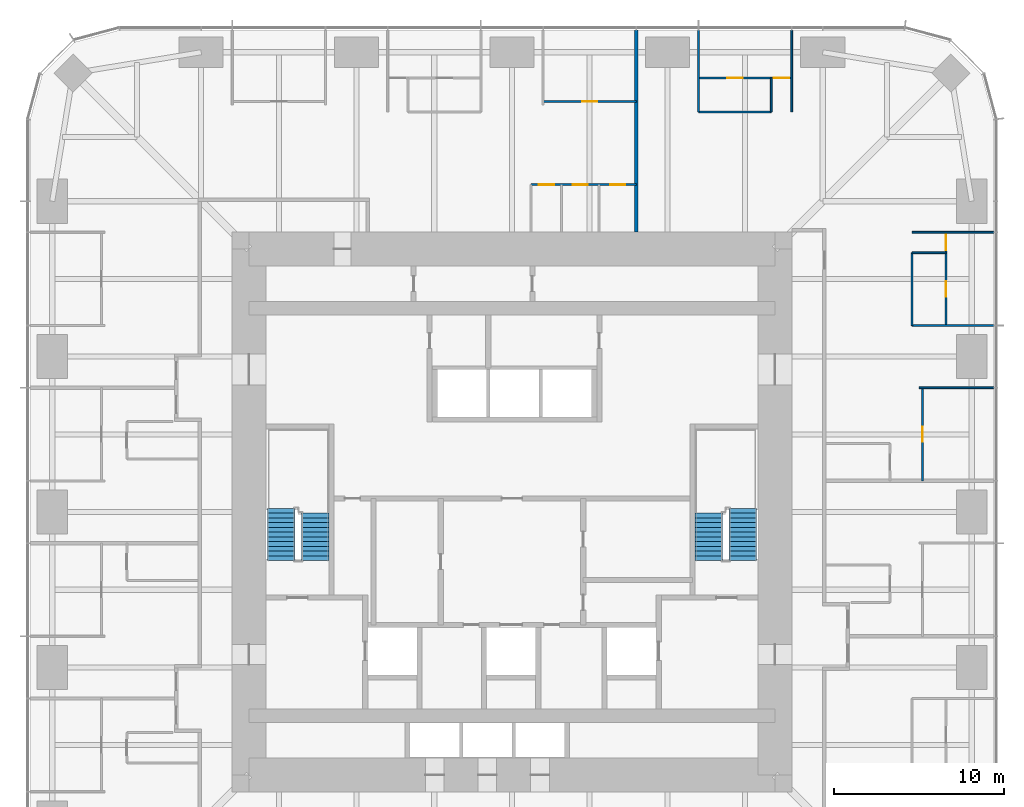
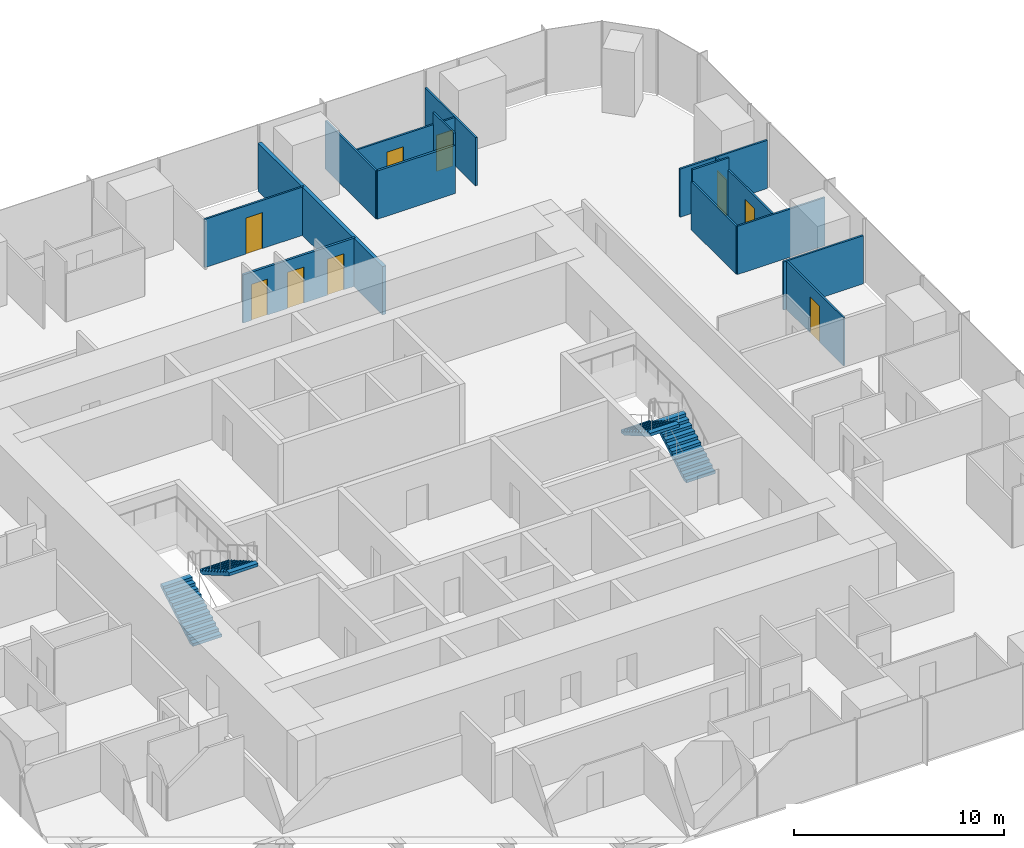
# One storey, part 12 of 13: 15 walls, 9 doors, 4 stair flights, 9 openings, 2 elements without a shape of their own.
"""IFC4 building model written with IfcOpenShell, lengths in metres."""

from ifc_helpers import new_model, si_unit, direction, frame, frame_2d, origin, place, context, subcontext, project, spatial, polyline, rectangle, outline, extrude, material, layer, layer_set, type_object, element, fill, aggregate, save


model = new_model("IFC4")

# Units and contexts
model_context = context("Model", 3, precision=1e-05, world=origin(), true_north=direction((0.0, 1.0)))
body_context = subcontext(model_context, "Body", "Model", "MODEL_VIEW")
ifc_project = project(units=[si_unit("LENGTHUNIT", "METRE"), si_unit("AREAUNIT", "SQUARE_METRE"), si_unit("VOLUMEUNIT", "CUBIC_METRE"), si_unit("PLANEANGLEUNIT", "RADIAN"), si_unit("MASSUNIT", "GRAM", prefix="KILO")], contexts=[model_context])

# Site, building, storey
site_placement = place(None, origin())
site = spatial("IfcSite", under=ifc_project, at=site_placement, CompositionType="ELEMENT")
building_placement = place(site_placement, origin())
building = spatial("IfcBuilding", under=site, at=building_placement, Name="Khuree Lantern Residences", CompositionType="ELEMENT")
storey_placement = place(building_placement, frame((0.0, 0.0, 159.75)))
storey = spatial("IfcBuildingStorey", under=building, at=storey_placement, Name="L40", CompositionType="ELEMENT", Elevation=159.75)

# Wall
ifc_material_1 = material(Name="Moisture-resistant gypsum board on steel studs", Category="steel")
ifc_layer_1 = layer(ifc_material_1, 0.125)
ifc_layer_set_1 = layer_set([ifc_layer_1], Name="BATHROOM WALL BTW125")
wall_type_1 = type_object("IfcWallType", Name="BATHROOM WALL BTW125", PredefinedType="PARTITIONING", material=ifc_layer_set_1)
wall_1_placement = place(storey_placement, frame((15.2880859375, 23.579833984375, 0.0), z_axis=(0.0, 0.0, 1.0), x_axis=(-1.0, 0.0, 0.0)))
element("IfcWall", 1, at=wall_1_placement, inside=storey, type_object=wall_type_1, Name="L40 BATHROOM WALL 02", PredefinedType="PARTITIONING", context=body_context, shape_type="SweptSolid", body=[
    extrude(rectangle(XDim=4.296142578125, YDim=0.125, at=frame_2d((2.14794921875, 0.0))), origin(), (0.0, 0.0, 1.0), 2.81005859375),
])

# Wall, openings, doors
wall_2_placement = place(storey_placement, frame((7.327880859375, 19.300048828125, 0.0), z_axis=(0.0, 0.0, 1.0), x_axis=(-1.0, 0.0, 0.0)))
wall_2 = element("IfcWall", 2, at=wall_2_placement, inside=storey, type_object=wall_type_1, Name="L40 BATHROOM WALL 03", PredefinedType="PARTITIONING", context=body_context, shape_type="SweptSolid", body=[
    extrude(rectangle(XDim=6.199951171875, YDim=0.125, at=frame_2d((3.10009765625, 0.0))), origin(), (0.0, 0.0, 1.0), 2.81005859375),
])
opening_1_placement = place(wall_2_placement, frame((0.64990234375, 0.0, 0.0)))
opening_1 = element("IfcOpeningElement", 3, at=opening_1_placement, cuts=wall_2, Name="Opening 40-040", PredefinedType="OPENING", context=body_context, shape_type="SweptSolid", body=[
    extrude(rectangle(XDim=0.89990234375, YDim=2.10009765625, at=frame_2d((0.449951171875, 1.050048828125))), frame((0.0, 0.072509765625, 0.0), z_axis=(0.0, -1.0, 0.0), x_axis=(1.0, 0.0, 0.0)), (0.0, 0.0, 1.0), 0.14501953125),
])
opening_2_placement = place(wall_2_placement, frame((2.85009765625, 0.0, 0.0)))
opening_2 = element("IfcOpeningElement", 4, at=opening_2_placement, cuts=wall_2, Name="Opening 40-041", PredefinedType="OPENING", context=body_context, shape_type="SweptSolid", body=[
    extrude(rectangle(XDim=0.89990234375, YDim=2.10009765625, at=frame_2d((0.449951171875, 1.050048828125))), frame((0.0, 0.072509765625, 0.0), z_axis=(0.0, -1.0, 0.0), x_axis=(1.0, 0.0, 0.0)), (0.0, 0.0, 1.0), 0.14501953125),
])
opening_3_placement = place(wall_2_placement, frame((4.85009765625, 0.0, 0.0)))
opening_3 = element("IfcOpeningElement", 5, at=opening_3_placement, cuts=wall_2, Name="Opening 40-042", PredefinedType="OPENING", context=body_context, shape_type="SweptSolid", body=[
    extrude(rectangle(XDim=0.89990234375, YDim=2.10009765625, at=frame_2d((0.449951171875, 1.050048828125))), frame((0.0, 0.072509765625, 0.0), z_axis=(0.0, -1.0, 0.0), x_axis=(1.0, 0.0, 0.0)), (0.0, 0.0, 1.0), 0.14501953125),
])
ifc_material_2 = material(Name="Timber door leaf in hardwood frame", Category="wood")
door_type_1 = type_object("IfcDoorType", Name="BATHROOM DOOR 900X2100", OperationType="SINGLE_SWING_LEFT", PredefinedType="DOOR", material=ifc_material_2)
door_1_placement = place(opening_1_placement, origin())
door_1 = element("IfcDoor", 6, at=door_1_placement, inside=storey, type_object=door_type_1, Name="Bathroom door 40-040", OperationType="SINGLE_SWING_LEFT", OverallHeight=2.10009765625, OverallWidth=0.89990234375, PredefinedType="DOOR", context=body_context, shape_type="SweptSolid", body=[
    extrude(rectangle(XDim=0.89990234375, YDim=2.10009765625, at=frame_2d((0.449951171875, 1.050048828125))), frame((0.0, 0.02490234375, 0.0), z_axis=(0.0, -1.0, 0.0), x_axis=(1.0, 0.0, 0.0)), (0.0, 0.0, 1.0), 0.050048828125),
])
fill(opening_1, door_1)
door_2_placement = place(opening_2_placement, origin())
door_2 = element("IfcDoor", 7, at=door_2_placement, inside=storey, type_object=door_type_1, Name="Bathroom door 40-041", OperationType="SINGLE_SWING_LEFT", OverallHeight=2.10009765625, OverallWidth=0.89990234375, PredefinedType="DOOR", context=body_context, shape_type="SweptSolid", body=[
    extrude(rectangle(XDim=0.89990234375, YDim=2.10009765625, at=frame_2d((0.449951171875, 1.050048828125))), frame((0.0, 0.02490234375, 0.0), z_axis=(0.0, -1.0, 0.0), x_axis=(1.0, 0.0, 0.0)), (0.0, 0.0, 1.0), 0.050048828125),
])
fill(opening_2, door_2)
door_type_2 = type_object("IfcDoorType", Name="DOOR 900X2100", OperationType="SINGLE_SWING_LEFT", PredefinedType="DOOR", material=ifc_material_2)
door_3_placement = place(opening_3_placement, origin())
door_3 = element("IfcDoor", 8, at=door_3_placement, inside=storey, type_object=door_type_2, Name="Store door 40-042", OperationType="SINGLE_SWING_LEFT", OverallHeight=2.10009765625, OverallWidth=0.89990234375, PredefinedType="DOOR", context=body_context, shape_type="SweptSolid", body=[
    extrude(rectangle(XDim=0.89990234375, YDim=2.10009765625, at=frame_2d((0.449951171875, 1.050048828125))), frame((0.0, 0.02490234375, 0.0), z_axis=(0.0, -1.0, 0.0), x_axis=(1.0, 0.0, 0.0)), (0.0, 0.0, 1.0), 0.050048828125),
])
fill(opening_3, door_3)

# Walls
ifc_material_3 = material(Name="Gypsum board on steel studs", Category="steel")
ifc_layer_2 = layer(ifc_material_3, 0.199951171875)
ifc_layer_set_2 = layer_set([ifc_layer_2], Name="DEMISING WALL DMW200 EI 90")
wall_type_2 = type_object("IfcWallType", Name="DEMISING WALL DMW200 EI 90", PredefinedType="PARTITIONING", material=ifc_layer_set_2)
wall_3_placement = place(storey_placement, frame((7.327880859375, 16.5, 0.0), z_axis=(0.0, 0.0, 1.0), x_axis=(0.0, 1.0, 0.0)))
element("IfcWall", 9, at=wall_3_placement, inside=storey, type_object=wall_type_2, Name="L40 DEMISING WALL 03", PredefinedType="PARTITIONING", context=body_context, shape_type="SweptSolid", body=[
    extrude(rectangle(XDim=11.89990234375, YDim=0.199951171875, at=frame_2d((5.949951171875, 0.0))), origin(), (0.0, 0.0, 1.0), 2.81005859375),
])
ifc_layer_3 = layer(ifc_material_3, 0.10009765625)
ifc_layer_set_3 = layer_set([ifc_layer_3], Name="PARTITION PT100")
wall_type_3 = type_object("IfcWallType", Name="PARTITION PT100", PredefinedType="PARTITIONING", material=ifc_layer_set_3)
wall_4_placement = place(storey_placement, frame((24.0, 7.327880859375, 0.0), z_axis=(0.0, 0.0, 1.0), x_axis=(1.0, 0.0, 0.0)))
element("IfcWall", 10, at=wall_4_placement, inside=storey, type_object=wall_type_3, Name="L40 PARTITION 02", PredefinedType="PARTITIONING", context=body_context, shape_type="SweptSolid", body=[
    extrude(rectangle(XDim=4.39990234375, YDim=0.10009765625, at=frame_2d((2.199951171875, 0.0))), origin(), (0.0, 0.0, 1.0), 2.81005859375),
])
for number, where, z_axis, x_axis, name in (
    (11, (23.579833984375, 10.991943359375, 0.0), (0.0, 0.0, 1.0), (1.0, 0.0, 0.0), "L40 PARTITION 02"),
    (12, (23.579833984375, 16.488037109375, 0.0), (0.0, 0.0, 1.0), (1.0, 0.0, 0.0), "L40 PARTITION 02"),
    (13, (16.488037109375, 23.579833984375, 0.0), (0.0, 0.0, 1.0), (0.0, 1.0, 0.0), "L40 PARTITION 02"),
    (14, (10.991943359375, 23.579833984375, 0.0), (0.0, 0.0, 1.0), (0.0, 1.0, 0.0), "L40 PARTITION 02"),
):
    element("IfcWall", number, at=place(storey_placement, frame(where, z_axis=z_axis, x_axis=x_axis)), inside=storey, type_object=wall_type_3, Name=name, PredefinedType="PARTITIONING", context=body_context, shape_type="SweptSolid", body=[
        extrude(rectangle(XDim=4.820068359375, YDim=0.10009765625, at=frame_2d((2.41015625, 0.0))), origin(), (0.0, 0.0, 1.0), 2.81005859375),
    ])

# Wall, opening, door
wall_5_placement = place(storey_placement, frame((24.199951171875, 1.83203125, 0.0), z_axis=(0.0, 0.0, 1.0), x_axis=(0.0, 1.0, 0.0)))
wall_5 = element("IfcWall", 15, at=wall_5_placement, inside=storey, type_object=wall_type_3, Name="L40 PARTITION 02", PredefinedType="PARTITIONING", context=body_context, shape_type="SweptSolid", body=[
    extrude(rectangle(XDim=5.495849609375, YDim=0.10009765625, at=frame_2d((2.748046875, 0.0))), origin(), (0.0, 0.0, 1.0), 2.81005859375),
])
opening_4_placement = place(wall_5_placement, frame((2.298095703125, 0.0, 0.0)))
opening_4 = element("IfcOpeningElement", 16, at=opening_4_placement, cuts=wall_5, Name="Opening 40-028", PredefinedType="OPENING", context=body_context, shape_type="SweptSolid", body=[
    extrude(rectangle(XDim=0.89990234375, YDim=2.10009765625, at=frame_2d((0.449951171875, 1.050048828125))), frame((0.0, 0.06005859375, 0.0), z_axis=(0.0, -1.0, 0.0), x_axis=(1.0, 0.0, 0.0)), (0.0, 0.0, 1.0), 0.1201171875),
])
door_type_3 = type_object("IfcDoorType", Name="BEDROOM DOOR 900X2100", OperationType="SINGLE_SWING_LEFT", PredefinedType="DOOR", material=ifc_material_2)
door_4_placement = place(opening_4_placement, origin())
door_4 = element("IfcDoor", 17, at=door_4_placement, inside=storey, type_object=door_type_3, Name="Bedroom door 40-028", OperationType="SINGLE_SWING_LEFT", OverallHeight=2.10009765625, OverallWidth=0.89990234375, PredefinedType="DOOR", context=body_context, shape_type="SweptSolid", body=[
    extrude(rectangle(XDim=0.89990234375, YDim=2.10009765625, at=frame_2d((0.449951171875, 1.050048828125))), frame((0.0, 0.02490234375, 0.0), z_axis=(0.0, -1.0, 0.0), x_axis=(1.0, 0.0, 0.0)), (0.0, 0.0, 1.0), 0.050048828125),
])
fill(opening_4, door_4)

# Wall, openings, doors
wall_6_placement = place(storey_placement, frame((25.579833984375, 10.991943359375, 0.0), z_axis=(0.0, 0.0, 1.0), x_axis=(0.0, 1.0, 0.0)))
wall_6 = element("IfcWall", 18, at=wall_6_placement, inside=storey, type_object=wall_type_3, Name="L40 PARTITION 02", PredefinedType="PARTITIONING", context=body_context, shape_type="SweptSolid", body=[
    extrude(rectangle(XDim=5.49609375, YDim=0.10009765625, at=frame_2d((2.748046875, 0.0))), origin(), (0.0, 0.0, 1.0), 2.81005859375),
])
opening_5_placement = place(wall_6_placement, frame((4.446044921875, 0.0, 0.0)))
opening_5 = element("IfcOpeningElement", 19, at=opening_5_placement, cuts=wall_6, Name="Opening 40-029", PredefinedType="OPENING", context=body_context, shape_type="SweptSolid", body=[
    extrude(rectangle(XDim=0.89990234375, YDim=2.10009765625, at=frame_2d((0.449951171875, 1.050048828125))), frame((0.0, 0.06005859375, 0.0), z_axis=(0.0, -1.0, 0.0), x_axis=(1.0, 0.0, 0.0)), (0.0, 0.0, 1.0), 0.1201171875),
])
opening_6_placement = place(wall_6_placement, frame((1.697998046875, 0.0, 0.0)))
opening_6 = element("IfcOpeningElement", 20, at=opening_6_placement, cuts=wall_6, Name="Opening 40-030", PredefinedType="OPENING", context=body_context, shape_type="SweptSolid", body=[
    extrude(rectangle(XDim=0.89990234375, YDim=2.10009765625, at=frame_2d((0.449951171875, 1.050048828125))), frame((0.0, 0.06005859375, 0.0), z_axis=(0.0, -1.0, 0.0), x_axis=(1.0, 0.0, 0.0)), (0.0, 0.0, 1.0), 0.1201171875),
])
door_5_placement = place(opening_5_placement, origin())
door_5 = element("IfcDoor", 21, at=door_5_placement, inside=storey, type_object=door_type_3, Name="Bedroom door 40-029", OperationType="SINGLE_SWING_LEFT", OverallHeight=2.10009765625, OverallWidth=0.89990234375, PredefinedType="DOOR", context=body_context, shape_type="SweptSolid", body=[
    extrude(rectangle(XDim=0.89990234375, YDim=2.10009765625, at=frame_2d((0.449951171875, 1.050048828125))), frame((0.0, 0.02490234375, 0.0), z_axis=(0.0, -1.0, 0.0), x_axis=(1.0, 0.0, 0.0)), (0.0, 0.0, 1.0), 0.050048828125),
])
fill(opening_5, door_5)
door_6_placement = place(opening_6_placement, origin())
door_6 = element("IfcDoor", 22, at=door_6_placement, inside=storey, type_object=door_type_2, Name="Wardrobe door 40-030", OperationType="SINGLE_SWING_LEFT", OverallHeight=2.10009765625, OverallWidth=0.89990234375, PredefinedType="DOOR", context=body_context, shape_type="SweptSolid", body=[
    extrude(rectangle(XDim=0.89990234375, YDim=2.10009765625, at=frame_2d((0.449951171875, 1.050048828125))), frame((0.0, 0.02490234375, 0.0), z_axis=(0.0, -1.0, 0.0), x_axis=(1.0, 0.0, 0.0)), (0.0, 0.0, 1.0), 0.050048828125),
])
fill(opening_6, door_6)

# Walls
wall_7_placement = place(storey_placement, frame((23.579833984375, 15.2880859375, 0.0), z_axis=(0.0, 0.0, 1.0), x_axis=(1.0, 0.0, 0.0)))
element("IfcWall", 23, at=wall_7_placement, inside=storey, type_object=wall_type_3, Name="L40 PARTITION 02", PredefinedType="PARTITIONING", context=body_context, shape_type="SweptSolid", body=[
    extrude(rectangle(XDim=2.0, YDim=0.10009765625, at=frame_2d((1.0, 0.0))), origin(), (0.0, 0.0, 1.0), 3.5),
])
wall_8_placement = place(storey_placement, frame((23.579833984375, 10.991943359375, 0.0), z_axis=(0.0, 0.0, 1.0), x_axis=(0.0, 1.0, 0.0)))
element("IfcWall", 24, at=wall_8_placement, inside=storey, type_object=wall_type_3, Name="L40 PARTITION 02", PredefinedType="PARTITIONING", context=body_context, shape_type="SweptSolid", body=[
    extrude(rectangle(XDim=4.296142578125, YDim=0.10009765625, at=frame_2d((2.14794921875, 0.0))), origin(), (0.0, 0.0, 1.0), 2.81005859375),
])

# Wall, openings, doors
wall_9_placement = place(storey_placement, frame((16.488037109375, 25.579833984375, 0.0), z_axis=(0.0, 0.0, 1.0), x_axis=(-1.0, 0.0, 0.0)))
wall_9 = element("IfcWall", 25, at=wall_9_placement, inside=storey, type_object=wall_type_3, Name="L40 PARTITION 02", PredefinedType="PARTITIONING", context=body_context, shape_type="SweptSolid", body=[
    extrude(rectangle(XDim=5.49609375, YDim=0.10009765625, at=frame_2d((2.748046875, 0.0))), origin(), (0.0, 0.0, 1.0), 2.81005859375),
])
opening_7_placement = place(wall_9_placement, frame((0.14990234375, 0.0, 0.0)))
opening_7 = element("IfcOpeningElement", 26, at=opening_7_placement, cuts=wall_9, Name="Opening 40-031", PredefinedType="OPENING", context=body_context, shape_type="SweptSolid", body=[
    extrude(rectangle(XDim=0.89990234375, YDim=2.10009765625, at=frame_2d((0.449951171875, 1.050048828125))), frame((0.0, 0.06005859375, 0.0), z_axis=(0.0, -1.0, 0.0), x_axis=(1.0, 0.0, 0.0)), (0.0, 0.0, 1.0), 0.1201171875),
])
opening_8_placement = place(wall_9_placement, frame((2.89794921875, 0.0, 0.0)))
opening_8 = element("IfcOpeningElement", 27, at=opening_8_placement, cuts=wall_9, Name="Opening 40-032", PredefinedType="OPENING", context=body_context, shape_type="SweptSolid", body=[
    extrude(rectangle(XDim=0.89990234375, YDim=2.10009765625, at=frame_2d((0.449951171875, 1.050048828125))), frame((0.0, 0.06005859375, 0.0), z_axis=(0.0, -1.0, 0.0), x_axis=(1.0, 0.0, 0.0)), (0.0, 0.0, 1.0), 0.1201171875),
])
door_7_placement = place(opening_8_placement, origin())
door_7 = element("IfcDoor", 28, at=door_7_placement, inside=storey, type_object=door_type_1, Name="Bathroom door 40-032", OperationType="SINGLE_SWING_LEFT", OverallHeight=2.10009765625, OverallWidth=0.89990234375, PredefinedType="DOOR", context=body_context, shape_type="SweptSolid", body=[
    extrude(rectangle(XDim=0.89990234375, YDim=2.10009765625, at=frame_2d((0.449951171875, 1.050048828125))), frame((0.0, 0.02490234375, 0.0), z_axis=(0.0, -1.0, 0.0), x_axis=(1.0, 0.0, 0.0)), (0.0, 0.0, 1.0), 0.050048828125),
])
fill(opening_8, door_7)
door_8_placement = place(opening_7_placement, origin())
door_8 = element("IfcDoor", 29, at=door_8_placement, inside=storey, type_object=door_type_3, Name="Bedroom door 40-031", OperationType="SINGLE_SWING_LEFT", OverallHeight=2.10009765625, OverallWidth=0.89990234375, PredefinedType="DOOR", context=body_context, shape_type="SweptSolid", body=[
    extrude(rectangle(XDim=0.89990234375, YDim=2.10009765625, at=frame_2d((0.449951171875, 1.050048828125))), frame((0.0, 0.02490234375, 0.0), z_axis=(0.0, -1.0, 0.0), x_axis=(1.0, 0.0, 0.0)), (0.0, 0.0, 1.0), 0.050048828125),
])
fill(opening_7, door_8)

# Wall
wall_10_placement = place(storey_placement, frame((15.2880859375, 23.579833984375, 0.0), z_axis=(0.0, 0.0, 1.0), x_axis=(0.0, 1.0, 0.0)))
element("IfcWall", 30, at=wall_10_placement, inside=storey, type_object=wall_type_3, Name="L40 PARTITION 02", PredefinedType="PARTITIONING", context=body_context, shape_type="SweptSolid", body=[
    extrude(rectangle(XDim=2.0, YDim=0.10009765625, at=frame_2d((1.0, 0.0))), origin(), (0.0, 0.0, 1.0), 3.5),
])

# Wall, opening, door
wall_11_placement = place(storey_placement, frame((7.327880859375, 24.199951171875, 0.0), z_axis=(0.0, 0.0, 1.0), x_axis=(-1.0, 0.0, 0.0)))
wall_11 = element("IfcWall", 31, at=wall_11_placement, inside=storey, type_object=wall_type_3, Name="L40 PARTITION 03", PredefinedType="PARTITIONING", context=body_context, shape_type="SweptSolid", body=[
    extrude(rectangle(XDim=5.495849609375, YDim=0.10009765625, at=frame_2d((2.748046875, 0.0))), origin(), (0.0, 0.0, 1.0), 2.81005859375),
])
opening_9_placement = place(wall_11_placement, frame((2.298095703125, 0.0, 0.0)))
opening_9 = element("IfcOpeningElement", 32, at=opening_9_placement, cuts=wall_11, Name="Opening 40-035", PredefinedType="OPENING", context=body_context, shape_type="SweptSolid", body=[
    extrude(rectangle(XDim=0.89990234375, YDim=2.10009765625, at=frame_2d((0.449951171875, 1.050048828125))), frame((0.0, 0.06005859375, 0.0), z_axis=(0.0, -1.0, 0.0), x_axis=(1.0, 0.0, 0.0)), (0.0, 0.0, 1.0), 0.1201171875),
])
door_9_placement = place(opening_9_placement, origin())
door_9 = element("IfcDoor", 33, at=door_9_placement, inside=storey, type_object=door_type_3, Name="Bedroom door 40-035", OperationType="SINGLE_SWING_LEFT", OverallHeight=2.10009765625, OverallWidth=0.89990234375, PredefinedType="DOOR", context=body_context, shape_type="SweptSolid", body=[
    extrude(rectangle(XDim=0.89990234375, YDim=2.10009765625, at=frame_2d((0.449951171875, 1.050048828125))), frame((0.0, 0.02490234375, 0.0), z_axis=(0.0, -1.0, 0.0), x_axis=(1.0, 0.0, 0.0)), (0.0, 0.0, 1.0), 0.050048828125),
])
fill(opening_9, door_9)

# Stair, stair flights
ifc_material_4 = material(Name="Concrete C40/50", Category="concrete")
stair_type = type_object("IfcStairType", Name="STAIR ST1 HALF TURN 3600", PredefinedType="HALF_TURN_STAIR", material=ifc_material_4)
stair_1_placement = place(storey_placement, origin())
stair_1 = element("IfcStair", 34, at=stair_1_placement, inside=storey, type_object=stair_type, Name="Stair ST1", PredefinedType="HALF_TURN_STAIR")
stair_flight_type = type_object("IfcStairFlightType", Name="STAIR FLIGHT SF1 1600", PredefinedType="STRAIGHT", material=ifc_material_4)
stair_flight_1_placement = place(storey_placement, frame((-13.60009765625, -2.860107421875, 0.0), z_axis=(0.0, 0.0, 1.0), x_axis=(0.0, 1.0, 0.0)))
stair_flight_1 = element("IfcStairFlight", 35, at=stair_flight_1_placement, type_object=stair_flight_type, Name="ST1 flight 1", NumberOfRisers=12, NumberOfTreads=11, PredefinedType="STRAIGHT", RiserHeight=0.163043478, TreadLength=0.28, context=body_context, shape_type="SweptSolid", body=[
    extrude(outline(polyline([(0.0, 0.0), (0.0, 0.1630859375), (0.280029296875, 0.1630859375), (0.280029296875, 0.326171875), (0.56005859375, 0.326171875), (0.56005859375, 0.489013671875), (0.840087890625, 0.489013671875), (0.840087890625, 0.652099609375), (1.1201171875, 0.652099609375), (1.1201171875, 0.815185546875), (1.39990234375, 0.815185546875), (1.39990234375, 0.978271484375), (1.679931640625, 0.978271484375), (1.679931640625, 1.141357421875), (1.9599609375, 1.141357421875), (1.9599609375, 1.304443359375), (2.239990234375, 1.304443359375), (2.239990234375, 1.46728515625), (2.52001953125, 1.46728515625), (2.52001953125, 1.63037109375), (2.800048828125, 1.63037109375), (2.800048828125, 1.79345703125), (3.080078125, 1.79345703125), (3.080078125, 1.95654296875), (3.080078125, 1.6201171875), (0.2978515625, 0.0), (0.0, 0.0)])), frame((0.0, 0.800048828125, 0.0), z_axis=(0.0, -1.0, 0.0), x_axis=(1.0, 0.0, 0.0)), (0.0, 0.0, 1.0), 1.60009765625),
])
stair_flight_2_placement = place(storey_placement, frame((-11.60009765625, -0.06005859375, 1.95654296875), z_axis=(0.0, 0.0, 1.0), x_axis=(0.0, -1.0, 0.0)))
stair_flight_2 = element("IfcStairFlight", 36, at=stair_flight_2_placement, type_object=stair_flight_type, Name="ST1 flight 2", NumberOfRisers=11, NumberOfTreads=10, PredefinedType="STRAIGHT", RiserHeight=0.163043478, TreadLength=0.28, context=body_context, shape_type="SweptSolid", body=[
    extrude(outline(polyline([(0.0, 0.0), (0.0, 0.1630859375), (0.280029296875, 0.1630859375), (0.280029296875, 0.326171875), (0.56005859375, 0.326171875), (0.56005859375, 0.489013671875), (0.840087890625, 0.489013671875), (0.840087890625, 0.652099609375), (1.1201171875, 0.652099609375), (1.1201171875, 0.815185546875), (1.39990234375, 0.815185546875), (1.39990234375, 0.978271484375), (1.679931640625, 0.978271484375), (1.679931640625, 1.141357421875), (1.9599609375, 1.141357421875), (1.9599609375, 1.304443359375), (2.239990234375, 1.304443359375), (2.239990234375, 1.46728515625), (2.52001953125, 1.46728515625), (2.52001953125, 1.63037109375), (2.800048828125, 1.63037109375), (2.800048828125, 1.79345703125), (2.800048828125, 1.45703125), (0.2978515625, 0.0), (0.0, 0.0)])), frame((0.0, 0.800048828125, 0.0), z_axis=(0.0, -1.0, 0.0), x_axis=(1.0, 0.0, 0.0)), (0.0, 0.0, 1.0), 1.60009765625),
])
aggregate(stair_1, [stair_flight_1, stair_flight_2])

stair_2_placement = place(storey_placement, origin())
stair_2 = element("IfcStair", 37, at=stair_2_placement, inside=storey, type_object=stair_type, Name="Stair ST2", PredefinedType="HALF_TURN_STAIR")
stair_flight_3_placement = place(storey_placement, frame((13.60009765625, -2.860107421875, 0.0), z_axis=(0.0, 0.0, 1.0), x_axis=(0.0, 1.0, 0.0)))
stair_flight_3 = element("IfcStairFlight", 38, at=stair_flight_3_placement, type_object=stair_flight_type, Name="ST2 flight 1", NumberOfRisers=12, NumberOfTreads=11, PredefinedType="STRAIGHT", RiserHeight=0.163043478, TreadLength=0.28, context=body_context, shape_type="SweptSolid", body=[
    extrude(outline(polyline([(0.0, 0.0), (0.0, 0.1630859375), (0.280029296875, 0.1630859375), (0.280029296875, 0.326171875), (0.56005859375, 0.326171875), (0.56005859375, 0.489013671875), (0.840087890625, 0.489013671875), (0.840087890625, 0.652099609375), (1.1201171875, 0.652099609375), (1.1201171875, 0.815185546875), (1.39990234375, 0.815185546875), (1.39990234375, 0.978271484375), (1.679931640625, 0.978271484375), (1.679931640625, 1.141357421875), (1.9599609375, 1.141357421875), (1.9599609375, 1.304443359375), (2.239990234375, 1.304443359375), (2.239990234375, 1.46728515625), (2.52001953125, 1.46728515625), (2.52001953125, 1.63037109375), (2.800048828125, 1.63037109375), (2.800048828125, 1.79345703125), (3.080078125, 1.79345703125), (3.080078125, 1.95654296875), (3.080078125, 1.6201171875), (0.2978515625, 0.0), (0.0, 0.0)])), frame((0.0, 0.800048828125, 0.0), z_axis=(0.0, -1.0, 0.0), x_axis=(1.0, 0.0, 0.0)), (0.0, 0.0, 1.0), 1.60009765625),
])
stair_flight_4_placement = place(storey_placement, frame((11.60009765625, -0.06005859375, 1.95654296875), z_axis=(0.0, 0.0, 1.0), x_axis=(0.0, -1.0, 0.0)))
stair_flight_4 = element("IfcStairFlight", 39, at=stair_flight_4_placement, type_object=stair_flight_type, Name="ST2 flight 2", NumberOfRisers=11, NumberOfTreads=10, PredefinedType="STRAIGHT", RiserHeight=0.163043478, TreadLength=0.28, context=body_context, shape_type="SweptSolid", body=[
    extrude(outline(polyline([(0.0, 0.0), (0.0, 0.1630859375), (0.280029296875, 0.1630859375), (0.280029296875, 0.326171875), (0.56005859375, 0.326171875), (0.56005859375, 0.489013671875), (0.840087890625, 0.489013671875), (0.840087890625, 0.652099609375), (1.1201171875, 0.652099609375), (1.1201171875, 0.815185546875), (1.39990234375, 0.815185546875), (1.39990234375, 0.978271484375), (1.679931640625, 0.978271484375), (1.679931640625, 1.141357421875), (1.9599609375, 1.141357421875), (1.9599609375, 1.304443359375), (2.239990234375, 1.304443359375), (2.239990234375, 1.46728515625), (2.52001953125, 1.46728515625), (2.52001953125, 1.63037109375), (2.800048828125, 1.63037109375), (2.800048828125, 1.79345703125), (2.800048828125, 1.45703125), (0.2978515625, 0.0), (0.0, 0.0)])), frame((0.0, 0.800048828125, 0.0), z_axis=(0.0, -1.0, 0.0), x_axis=(1.0, 0.0, 0.0)), (0.0, 0.0, 1.0), 1.60009765625),
])
aggregate(stair_2, [stair_flight_3, stair_flight_4])

save(model, "model.ifc")
